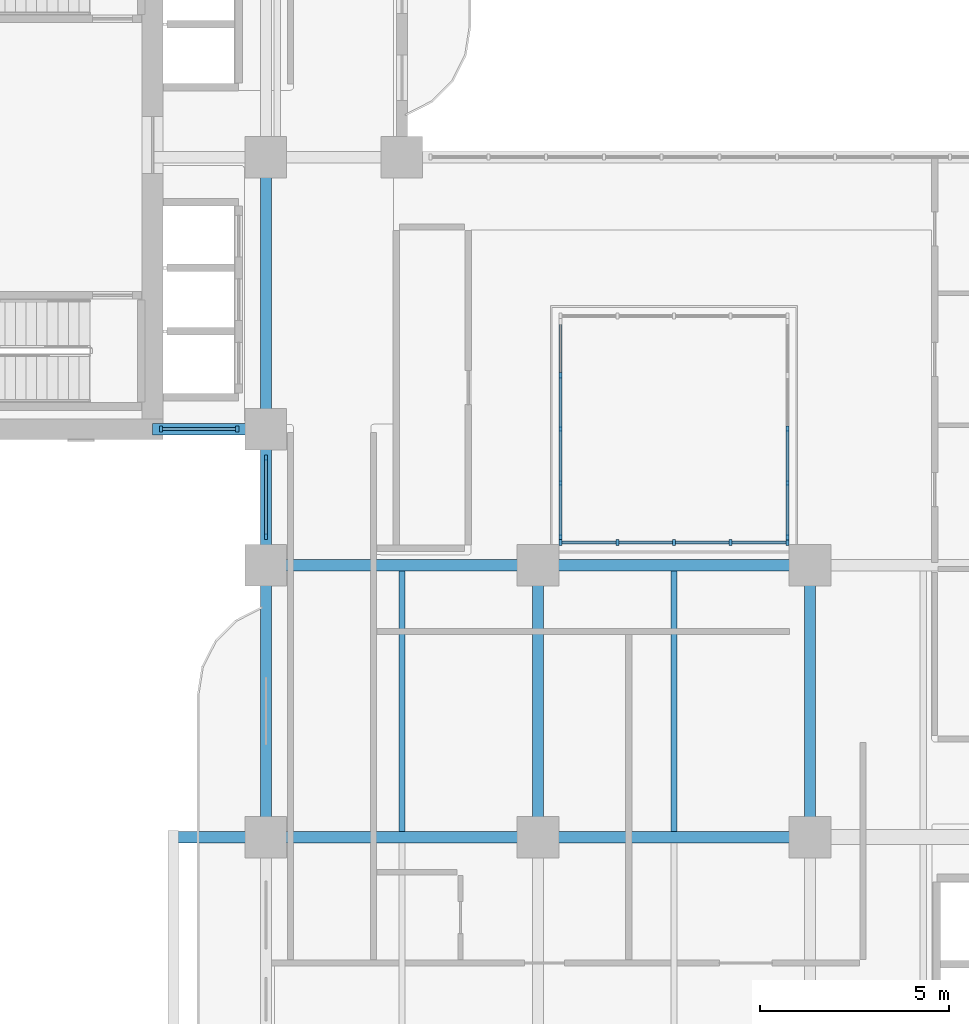
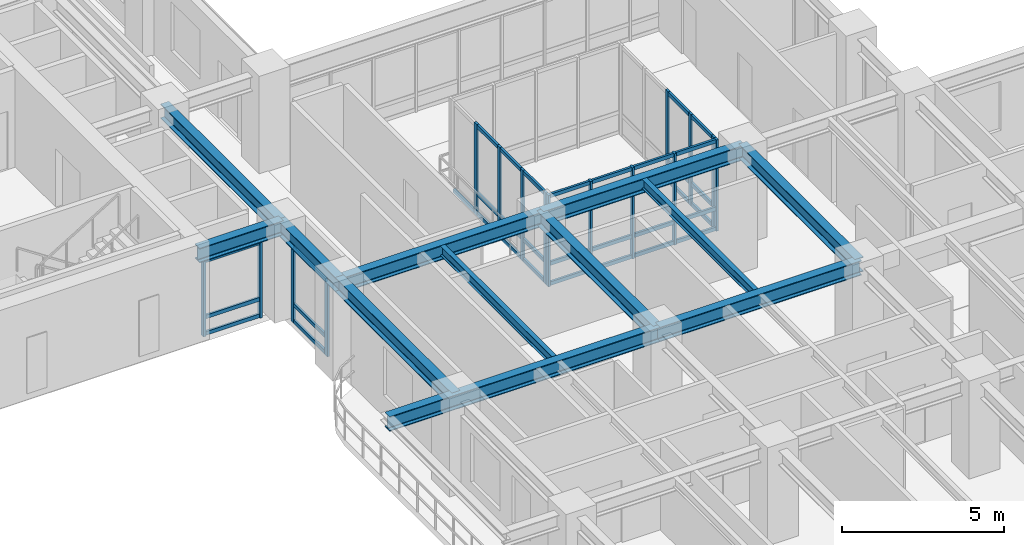
# One storey, part 2 of 22: 50 members, 12 beams, 5 elements without a shape of their own.
"""IFC4 building model written with IfcOpenShell, lengths in metres."""

from ifc_helpers import new_model, si_unit, derived_unit, direction, frame, origin, origin_2d, place, context, subcontext, project, spatial, rectangle, i_section, extrude, source, transform, mapped, material, layer, layer_set, material_profile, profile_set, type_object, type_shapes, element, aggregate, save


model = new_model("IFC4")

# Units and contexts
model_context = context("Model", 3, precision=1e-05, world=origin(), true_north=direction((0.0, 1.0)))
body_context = subcontext(model_context, "Body", "Model", "MODEL_VIEW")
ifc_project = project(units=[si_unit("LENGTHUNIT", "METRE"), si_unit("AREAUNIT", "SQUARE_METRE"), si_unit("VOLUMEUNIT", "CUBIC_METRE"), si_unit("PLANEANGLEUNIT", "RADIAN"), si_unit("MASSUNIT", "GRAM", prefix="KILO"), si_unit("THERMODYNAMICTEMPERATUREUNIT", "KELVIN"), si_unit("POWERUNIT", "WATT"), derived_unit("THERMALTRANSMITTANCEUNIT", [(si_unit("POWERUNIT", "WATT"), 1), (si_unit("AREAUNIT", "SQUARE_METRE"), -1), (si_unit("THERMODYNAMICTEMPERATUREUNIT", "KELVIN"), -1)])], contexts=[model_context])

# Site, building, storey
site_placement = place(None, origin())
site = spatial("IfcSite", under=ifc_project, at=site_placement, CompositionType="ELEMENT")
building_placement = place(site_placement, origin())
building = spatial("IfcBuilding", under=site, at=building_placement, Name="Zahravan Archway Hotel and Residences", CompositionType="ELEMENT")
storey_placement = place(building_placement, frame((0.0, 0.0, 95.300048828125)))
storey = spatial("IfcBuildingStorey", under=building, at=storey_placement, Name="L23", CompositionType="ELEMENT", Elevation=95.300048828125)

# Beams
ifc_material_1 = material(Name="Structural Steel S355JR", Category="steel")
ifc_material_profile_1 = material_profile(ifc_material_1, i_section(OverallWidth=0.300048828125, OverallDepth=0.550048828125, WebThickness=0.014892578125, FlangeThickness=0.029052734375, FilletRadius=0.027099609375, at=origin_2d()), Name="HEB 550", Category="steel")
ifc_profile_set_1 = profile_set([ifc_material_profile_1], Name="Structural Steel S355JR")
beam_type_1 = type_object("IfcBeamType", Name="BM-PRI-HEB550", PredefinedType="BEAM", material=ifc_profile_set_1)
shared_shape_1 = source(origin(), body_context, "Body", "SweptSolid", [
    extrude(i_section(OverallWidth=0.300048828125, OverallDepth=0.550048828125, WebThickness=0.014892578125, FlangeThickness=0.029052734375, FilletRadius=0.027099609375, at=origin_2d()), origin(), (0.0, 0.0, 1.0), 7.2001953125),
])
type_shapes(beam_type_1, [shared_shape_1])
for number, where, z_axis, x_axis, name in (
    (1, (14.39990234375, 21.60009765625, 3.175048828125), (1.0, 0.0, 0.0), (0.0, 1.0, 0.0), "L23 Primary Girder EW-14"),
    (2, (14.39990234375, 14.39990234375, 3.175048828125), (0.0, 1.0, 0.0), (-1.0, 0.0, 0.0), "L23 Primary Girder NS-34"),
    (3, (21.60009765625, 14.39990234375, 3.175048828125), (0.0, 1.0, 0.0), (-1.0, 0.0, 0.0), "L23 Primary Girder NS-41"),
    (4, (28.800048828125, 14.39990234375, 3.175048828125), (0.0, 1.0, 0.0), (-1.0, 0.0, 0.0), "L23 Primary Girder NS-44"),
):
    element("IfcBeam", number, at=place(storey_placement, frame(where, z_axis=z_axis, x_axis=x_axis)), inside=storey, type_object=beam_type_1, Name=name, PredefinedType="BEAM", context=body_context, shape_type="MappedRepresentation", body=[
        mapped(shared_shape_1, transform((0.0, 0.0, 0.0), scale=1.0)),
    ])
shared_shape_2 = source(origin(), body_context, "Body", "SweptSolid", [
    extrude(i_section(OverallWidth=0.300048828125, OverallDepth=0.550048828125, WebThickness=0.014892578125, FlangeThickness=0.029052734375, FilletRadius=0.027099609375, at=origin_2d()), origin(), (0.0, 0.0, 1.0), 7.199951171875),
])
for number, where, z_axis, x_axis, name in (
    (5, (21.60009765625, 14.39990234375, 3.175048828125), (1.0, 0.0, 0.0), (0.0, 1.0, 0.0), "L23 Primary Girder EW-12"),
    (6, (21.60009765625, 21.60009765625, 3.175048828125), (1.0, 0.0, 0.0), (0.0, 1.0, 0.0), "L23 Primary Girder EW-15"),
    (7, (14.39990234375, 25.199951171875, 3.175048828125), (0.0, 1.0, 0.0), (-1.0, 0.0, 0.0), "L23 Primary Girder NS-36"),
):
    element("IfcBeam", number, at=place(storey_placement, frame(where, z_axis=z_axis, x_axis=x_axis)), inside=storey, type_object=beam_type_1, Name=name, PredefinedType="BEAM", context=body_context, shape_type="MappedRepresentation", body=[
        mapped(shared_shape_2, transform((0.0, 0.0, 0.0), scale=1.0)),
    ])
shared_shape_3 = source(origin(), body_context, "Body", "SweptSolid", [
    extrude(i_section(OverallWidth=0.300048828125, OverallDepth=0.550048828125, WebThickness=0.014892578125, FlangeThickness=0.029052734375, FilletRadius=0.027099609375, at=origin_2d()), origin(), (0.0, 0.0, 1.0), 3.0),
])
beam_1_placement = place(storey_placement, frame((11.39990234375, 25.199951171875, 3.175048828125), z_axis=(1.0, 0.0, 0.0), x_axis=(0.0, 1.0, 0.0)))
element("IfcBeam", 8, at=beam_1_placement, inside=storey, type_object=beam_type_1, Name="L23 Primary Girder EW-20", PredefinedType="BEAM", context=body_context, shape_type="MappedRepresentation", body=[
    mapped(shared_shape_3, transform((0.0, 0.0, 0.0), scale=1.0)),
])
shared_shape_4 = source(origin(), body_context, "Body", "SweptSolid", [
    extrude(i_section(OverallWidth=0.300048828125, OverallDepth=0.550048828125, WebThickness=0.014892578125, FlangeThickness=0.029052734375, FilletRadius=0.027099609375, at=origin_2d()), origin(), (0.0, 0.0, 1.0), 3.599853515625),
])
beam_2_placement = place(storey_placement, frame((14.39990234375, 21.60009765625, 3.175048828125), z_axis=(0.0, 1.0, 0.0), x_axis=(-1.0, 0.0, 0.0)))
element("IfcBeam", 9, at=beam_2_placement, inside=storey, type_object=beam_type_1, Name="L23 Primary Girder NS-35", PredefinedType="BEAM", context=body_context, shape_type="MappedRepresentation", body=[
    mapped(shared_shape_4, transform((0.0, 0.0, 0.0), scale=1.0)),
])
shared_shape_5 = source(origin(), body_context, "Body", "SweptSolid", [
    extrude(i_section(OverallWidth=0.300048828125, OverallDepth=0.550048828125, WebThickness=0.014892578125, FlangeThickness=0.029052734375, FilletRadius=0.027099609375, at=origin_2d()), origin(), (0.0, 0.0, 1.0), 9.650146484375),
])
beam_3_placement = place(storey_placement, frame((11.949951171875, 14.39990234375, 3.175048828125), z_axis=(1.0, 0.0, 0.0), x_axis=(0.0, 1.0, 0.0)))
element("IfcBeam", 10, at=beam_3_placement, inside=storey, type_object=beam_type_1, Name="L23 Primary Girder EW-11", PredefinedType="BEAM", context=body_context, shape_type="MappedRepresentation", body=[
    mapped(shared_shape_5, transform((0.0, 0.0, 0.0), scale=1.0)),
])
ifc_material_profile_2 = material_profile(ifc_material_1, i_section(OverallWidth=0.169921875, OverallDepth=0.360107421875, WebThickness=0.008056640625, FlangeThickness=0.0126953125, FilletRadius=0.01806640625, at=origin_2d()), Name="IPE 360", Category="steel")
ifc_profile_set_2 = profile_set([ifc_material_profile_2], Name="Structural Steel S355JR")
beam_type_2 = type_object("IfcBeamType", Name="BM-JST-IPE360", PredefinedType="JOIST", material=ifc_profile_set_2)
shared_shape_6 = source(origin(), body_context, "Body", "SweptSolid", [
    extrude(i_section(OverallWidth=0.169921875, OverallDepth=0.360107421875, WebThickness=0.008056640625, FlangeThickness=0.0126953125, FilletRadius=0.01806640625, at=origin_2d()), origin(), (0.0, 0.0, 1.0), 6.90380859375),
])
for number, where, z_axis, x_axis, name in (
    (11, (18.0, 14.548095703125, 3.27001953125), (0.0, 1.0, 0.0), (-1.0, 0.0, 0.0), "L23 Composite Floor Joist 10"),
    (12, (25.199951171875, 14.548095703125, 3.27001953125), (0.0, 1.0, 0.0), (-1.0, 0.0, 0.0), "L23 Composite Floor Joist 11"),
):
    element("IfcBeam", number, at=place(storey_placement, frame(where, z_axis=z_axis, x_axis=x_axis)), inside=storey, type_object=beam_type_2, Name=name, PredefinedType="JOIST", context=body_context, shape_type="MappedRepresentation", body=[
        mapped(shared_shape_6, transform((0.0, 0.0, 0.0), scale=1.0)),
    ])

# Curtain wall, members
ifc_material_2 = material(Name="Bronze-Anodized Unitised Aluminium & Low-E Glass", Category="aluminium")
ifc_layer = layer(ifc_material_2, 0.179931640625, Name="Bronze-Anodized Unitised Aluminium & Low-E Glass", Category="aluminium")
ifc_layer_set = layer_set([ifc_layer], Name="Bronze-Anodized Unitised Aluminium & Low-E Glass")
curtain_wall_type = type_object("IfcCurtainWallType", Name="CW-ATR-GLAZ", PredefinedType="NOTDEFINED", material=ifc_layer_set)
curtain_wall_1_placement = place(storey_placement, origin())
curtain_wall_1 = element("IfcCurtainWall", 13, at=curtain_wall_1_placement, inside=storey, type_object=curtain_wall_type, Name="L23 Curtain Wall CW-L23-WA-WLU-1", PredefinedType="NOTDEFINED")
ifc_material_3 = material(Name="Bronze-Anodized Extruded Aluminium", Category="aluminium")
ifc_material_profile_3 = material_profile(ifc_material_3, rectangle(XDim=0.080078125, YDim=0.159912109375, at=origin_2d()), Name="MUL 80x160", Category="aluminium")
ifc_profile_set_3 = profile_set([ifc_material_profile_3], Name="Bronze-Anodized Extruded Aluminium")
member_type_1 = type_object("IfcMemberType", Name="CWM-MUL-160", PredefinedType="MULLION", material=ifc_profile_set_3)
shared_shape_7 = source(origin(), body_context, "Body", "SweptSolid", [
    extrude(rectangle(XDim=0.080078125, YDim=0.159912109375, at=origin_2d()), origin(), (0.0, 0.0, 1.0), 2.885009765625),
])
member_1_placement = place(storey_placement, frame((14.39990234375, 22.360107421875, 0.0), z_axis=(0.0, 0.0, 1.0), x_axis=(1.0, 0.0, 0.0)))
member_1 = element("IfcMember", 14, at=member_1_placement, type_object=member_type_1, Name="CW-L23-WA-WLU-1 Mullion 0", PredefinedType="MULLION", context=body_context, shape_type="MappedRepresentation", body=[
    mapped(shared_shape_7, transform((0.0, 0.0, 0.0), scale=1.0)),
])
member_2_placement = place(storey_placement, frame((14.39990234375, 24.43994140625, 0.0), z_axis=(0.0, 0.0, 1.0), x_axis=(1.0, 0.0, 0.0)))
member_2 = element("IfcMember", 15, at=member_2_placement, type_object=member_type_1, Name="CW-L23-WA-WLU-1 Mullion 1", PredefinedType="MULLION", context=body_context, shape_type="MappedRepresentation", body=[
    mapped(shared_shape_7, transform((0.0, 0.0, 0.0), scale=1.0)),
])

curtain_wall_2_placement = place(storey_placement, origin())
curtain_wall_2 = element("IfcCurtainWall", 16, at=curtain_wall_2_placement, inside=storey, type_object=curtain_wall_type, Name="L23 Curtain Wall CW-L23-WB-SE-1", PredefinedType="NOTDEFINED")
member_3_placement = place(storey_placement, frame((11.6201171875, 25.199951171875, 0.0), z_axis=(0.0, 0.0, 1.0), x_axis=(1.0, 0.0, 0.0)))
member_3 = element("IfcMember", 17, at=member_3_placement, type_object=member_type_1, Name="CW-L23-WB-SE-1 Mullion 0", PredefinedType="MULLION", context=body_context, shape_type="MappedRepresentation", body=[
    mapped(shared_shape_7, transform((0.0, 0.0, 0.0), scale=1.0)),
])
member_4_placement = place(storey_placement, frame((13.639892578125, 25.199951171875, 0.0), z_axis=(0.0, 0.0, 1.0), x_axis=(1.0, 0.0, 0.0)))
member_4 = element("IfcMember", 18, at=member_4_placement, type_object=member_type_1, Name="CW-L23-WB-SE-1 Mullion 1", PredefinedType="MULLION", context=body_context, shape_type="MappedRepresentation", body=[
    mapped(shared_shape_7, transform((0.0, 0.0, 0.0), scale=1.0)),
])
ifc_material_profile_4 = material_profile(ifc_material_3, rectangle(XDim=0.080078125, YDim=0.139892578125, at=origin_2d()), Name="TRN 80x140", Category="aluminium")
ifc_profile_set_4 = profile_set([ifc_material_profile_4], Name="Bronze-Anodized Extruded Aluminium")
member_type_2 = type_object("IfcMemberType", Name="CWM-TRN-140", PredefinedType="USERDEFINED", material=ifc_profile_set_4)
shared_shape_8 = source(origin(), body_context, "Body", "SweptSolid", [
    extrude(rectangle(XDim=0.080078125, YDim=0.139892578125, at=origin_2d()), origin(), (0.0, 0.0, 1.0), 1.940185546875),
])
member_5_placement = place(storey_placement, frame((11.659912109375, 25.199951171875, 0.070068359375), z_axis=(1.0, 0.0, 0.0), x_axis=(0.0, 1.0, 0.0)))
member_5 = element("IfcMember", 19, at=member_5_placement, type_object=member_type_2, Name="CW-L23-WB-SE-1 Transom 0-1", ObjectType="TRANSOM", PredefinedType="USERDEFINED", context=body_context, shape_type="MappedRepresentation", body=[
    mapped(shared_shape_8, transform((0.0, 0.0, 0.0), scale=1.0)),
])
member_6_placement = place(storey_placement, frame((11.659912109375, 25.199951171875, 0.6923828125), z_axis=(1.0, 0.0, 0.0), x_axis=(0.0, 1.0, 0.0)))
member_6 = element("IfcMember", 20, at=member_6_placement, type_object=member_type_2, Name="CW-L23-WB-SE-1 Transom 0-2", ObjectType="TRANSOM", PredefinedType="USERDEFINED", context=body_context, shape_type="MappedRepresentation", body=[
    mapped(shared_shape_8, transform((0.0, 0.0, 0.0), scale=1.0)),
])
member_7_placement = place(storey_placement, frame((11.659912109375, 25.199951171875, 2.81494140625), z_axis=(1.0, 0.0, 0.0), x_axis=(0.0, 1.0, 0.0)))
member_7 = element("IfcMember", 21, at=member_7_placement, type_object=member_type_2, Name="CW-L23-WB-SE-1 Transom 0-3", ObjectType="TRANSOM", PredefinedType="USERDEFINED", context=body_context, shape_type="MappedRepresentation", body=[
    mapped(shared_shape_8, transform((0.0, 0.0, 0.0), scale=1.0)),
])
aggregate(curtain_wall_2, [member_3, member_4, member_5, member_6, member_7])

# Member
shared_shape_9 = source(origin(), body_context, "Body", "SweptSolid", [
    extrude(rectangle(XDim=0.080078125, YDim=0.139892578125, at=origin_2d()), origin(), (0.0, 0.0, 1.0), 2.0),
])
member_8_placement = place(storey_placement, frame((14.39990234375, 22.39990234375, 0.070068359375), z_axis=(0.0, 1.0, 0.0), x_axis=(-1.0, 0.0, 0.0)))
member_8 = element("IfcMember", 22, at=member_8_placement, type_object=member_type_2, Name="CW-L23-WA-WLU-1 Transom 0-1", ObjectType="TRANSOM", PredefinedType="USERDEFINED", context=body_context, shape_type="MappedRepresentation", body=[
    mapped(shared_shape_9, transform((0.0, 0.0, 0.0), scale=1.0)),
])

member_9_placement = place(storey_placement, frame((14.39990234375, 22.39990234375, 0.6923828125), z_axis=(0.0, 1.0, 0.0), x_axis=(-1.0, 0.0, 0.0)))
member_9 = element("IfcMember", 23, at=member_9_placement, type_object=member_type_2, Name="CW-L23-WA-WLU-1 Transom 0-2", ObjectType="TRANSOM", PredefinedType="USERDEFINED", context=body_context, shape_type="MappedRepresentation", body=[
    mapped(shared_shape_9, transform((0.0, 0.0, 0.0), scale=1.0)),
])

member_10_placement = place(storey_placement, frame((14.39990234375, 22.39990234375, 2.81494140625), z_axis=(0.0, 1.0, 0.0), x_axis=(-1.0, 0.0, 0.0)))
member_10 = element("IfcMember", 24, at=member_10_placement, type_object=member_type_2, Name="CW-L23-WA-WLU-1 Transom 0-3", ObjectType="TRANSOM", PredefinedType="USERDEFINED", context=body_context, shape_type="MappedRepresentation", body=[
    mapped(shared_shape_9, transform((0.0, 0.0, 0.0), scale=1.0)),
])

aggregate(curtain_wall_1, [member_1, member_2, member_8, member_9, member_10])

# Curtain wall, members
curtain_wall_3_placement = place(storey_placement, origin())
curtain_wall_3 = element("IfcCurtainWall", 25, at=curtain_wall_3_placement, inside=storey, type_object=curtain_wall_type, Name="L23 Curtain Wall CW-ATR-L23-S-1", PredefinedType="NOTDEFINED")
shared_shape_10 = source(origin(), body_context, "Body", "SweptSolid", [
    extrude(rectangle(XDim=0.080078125, YDim=0.159912109375, at=origin_2d()), origin(), (0.0, 0.0, 1.0), 3.449951171875),
])
member_11_placement = place(storey_placement, frame((22.199951171875, 22.199951171875, 0.0), z_axis=(0.0, 0.0, 1.0), x_axis=(1.0, 0.0, 0.0)))
member_11 = element("IfcMember", 26, at=member_11_placement, type_object=member_type_1, Name="CW-ATR-L23-S-1 Mullion 0", PredefinedType="MULLION", context=body_context, shape_type="MappedRepresentation", body=[
    mapped(shared_shape_10, transform((0.0, 0.0, 0.0), scale=1.0)),
])
member_12_placement = place(storey_placement, frame((23.699951171875, 22.199951171875, 0.0), z_axis=(0.0, 0.0, 1.0), x_axis=(1.0, 0.0, 0.0)))
member_12 = element("IfcMember", 27, at=member_12_placement, type_object=member_type_1, Name="CW-ATR-L23-S-1 Mullion 1", PredefinedType="MULLION", context=body_context, shape_type="MappedRepresentation", body=[
    mapped(shared_shape_10, transform((0.0, 0.0, 0.0), scale=1.0)),
])
member_13_placement = place(storey_placement, frame((25.199951171875, 22.199951171875, 0.0), z_axis=(0.0, 0.0, 1.0), x_axis=(1.0, 0.0, 0.0)))
member_13 = element("IfcMember", 28, at=member_13_placement, type_object=member_type_1, Name="CW-ATR-L23-S-1 Mullion 2", PredefinedType="MULLION", context=body_context, shape_type="MappedRepresentation", body=[
    mapped(shared_shape_10, transform((0.0, 0.0, 0.0), scale=1.0)),
])
member_14_placement = place(storey_placement, frame((26.699951171875, 22.199951171875, 0.0), z_axis=(0.0, 0.0, 1.0), x_axis=(1.0, 0.0, 0.0)))
member_14 = element("IfcMember", 29, at=member_14_placement, type_object=member_type_1, Name="CW-ATR-L23-S-1 Mullion 3", PredefinedType="MULLION", context=body_context, shape_type="MappedRepresentation", body=[
    mapped(shared_shape_10, transform((0.0, 0.0, 0.0), scale=1.0)),
])
member_15_placement = place(storey_placement, frame((28.199951171875, 22.199951171875, 0.0), z_axis=(0.0, 0.0, 1.0), x_axis=(1.0, 0.0, 0.0)))
member_15 = element("IfcMember", 30, at=member_15_placement, type_object=member_type_1, Name="CW-ATR-L23-S-1 Mullion 4", PredefinedType="MULLION", context=body_context, shape_type="MappedRepresentation", body=[
    mapped(shared_shape_10, transform((0.0, 0.0, 0.0), scale=1.0)),
])

curtain_wall_4_placement = place(storey_placement, origin())
curtain_wall_4 = element("IfcCurtainWall", 31, at=curtain_wall_4_placement, inside=storey, type_object=curtain_wall_type, Name="L23 Curtain Wall CW-ATR-L23-W-1", PredefinedType="NOTDEFINED")
member_16_placement = place(storey_placement, frame((22.199951171875, 22.35009765625, 0.0), z_axis=(0.0, 0.0, 1.0), x_axis=(1.0, 0.0, 0.0)))
member_16 = element("IfcMember", 32, at=member_16_placement, type_object=member_type_1, Name="CW-ATR-L23-W-1 Mullion 0", PredefinedType="MULLION", context=body_context, shape_type="MappedRepresentation", body=[
    mapped(shared_shape_10, transform((0.0, 0.0, 0.0), scale=1.0)),
])
member_17_placement = place(storey_placement, frame((22.199951171875, 23.77490234375, 0.0), z_axis=(0.0, 0.0, 1.0), x_axis=(1.0, 0.0, 0.0)))
member_17 = element("IfcMember", 33, at=member_17_placement, type_object=member_type_1, Name="CW-ATR-L23-W-1 Mullion 1", PredefinedType="MULLION", context=body_context, shape_type="MappedRepresentation", body=[
    mapped(shared_shape_10, transform((0.0, 0.0, 0.0), scale=1.0)),
])
member_18_placement = place(storey_placement, frame((22.199951171875, 25.199951171875, 0.0), z_axis=(0.0, 0.0, 1.0), x_axis=(1.0, 0.0, 0.0)))
member_18 = element("IfcMember", 34, at=member_18_placement, type_object=member_type_1, Name="CW-ATR-L23-W-1 Mullion 2", PredefinedType="MULLION", context=body_context, shape_type="MappedRepresentation", body=[
    mapped(shared_shape_10, transform((0.0, 0.0, 0.0), scale=1.0)),
])
member_19_placement = place(storey_placement, frame((22.199951171875, 26.625, 0.0), z_axis=(0.0, 0.0, 1.0), x_axis=(1.0, 0.0, 0.0)))
member_19 = element("IfcMember", 35, at=member_19_placement, type_object=member_type_1, Name="CW-ATR-L23-W-1 Mullion 3", PredefinedType="MULLION", context=body_context, shape_type="MappedRepresentation", body=[
    mapped(shared_shape_10, transform((0.0, 0.0, 0.0), scale=1.0)),
])

curtain_wall_5_placement = place(storey_placement, origin())
curtain_wall_5 = element("IfcCurtainWall", 36, at=curtain_wall_5_placement, inside=storey, type_object=curtain_wall_type, Name="L23 Curtain Wall CW-ATR-L23-E-1", PredefinedType="NOTDEFINED")
member_20_placement = place(storey_placement, frame((28.199951171875, 22.35009765625, 0.0), z_axis=(0.0, 0.0, 1.0), x_axis=(1.0, 0.0, 0.0)))
member_20 = element("IfcMember", 37, at=member_20_placement, type_object=member_type_1, Name="CW-ATR-L23-E-1 Mullion 0", PredefinedType="MULLION", context=body_context, shape_type="MappedRepresentation", body=[
    mapped(shared_shape_10, transform((0.0, 0.0, 0.0), scale=1.0)),
])
member_21_placement = place(storey_placement, frame((28.199951171875, 23.77490234375, 0.0), z_axis=(0.0, 0.0, 1.0), x_axis=(1.0, 0.0, 0.0)))
member_21 = element("IfcMember", 38, at=member_21_placement, type_object=member_type_1, Name="CW-ATR-L23-E-1 Mullion 1", PredefinedType="MULLION", context=body_context, shape_type="MappedRepresentation", body=[
    mapped(shared_shape_10, transform((0.0, 0.0, 0.0), scale=1.0)),
])
member_22_placement = place(storey_placement, frame((28.199951171875, 25.199951171875, 0.0), z_axis=(0.0, 0.0, 1.0), x_axis=(1.0, 0.0, 0.0)))
member_22 = element("IfcMember", 39, at=member_22_placement, type_object=member_type_1, Name="CW-ATR-L23-E-1 Mullion 2", PredefinedType="MULLION", context=body_context, shape_type="MappedRepresentation", body=[
    mapped(shared_shape_10, transform((0.0, 0.0, 0.0), scale=1.0)),
])

# Member
shared_shape_11 = source(origin(), body_context, "Body", "SweptSolid", [
    extrude(rectangle(XDim=0.080078125, YDim=0.139892578125, at=origin_2d()), origin(), (0.0, 0.0, 1.0), 1.419921875),
])
member_23_placement = place(storey_placement, frame((22.239990234375, 22.199951171875, 0.070068359375), z_axis=(1.0, 0.0, 0.0), x_axis=(0.0, 1.0, 0.0)))
member_23 = element("IfcMember", 40, at=member_23_placement, type_object=member_type_2, Name="CW-ATR-L23-S-1 Transom 0-1", ObjectType="TRANSOM", PredefinedType="USERDEFINED", context=body_context, shape_type="MappedRepresentation", body=[
    mapped(shared_shape_11, transform((0.0, 0.0, 0.0), scale=1.0)),
])

member_24_placement = place(storey_placement, frame((22.239990234375, 22.199951171875, 0.827880859375), z_axis=(1.0, 0.0, 0.0), x_axis=(0.0, 1.0, 0.0)))
member_24 = element("IfcMember", 41, at=member_24_placement, type_object=member_type_2, Name="CW-ATR-L23-S-1 Transom 0-2", ObjectType="TRANSOM", PredefinedType="USERDEFINED", context=body_context, shape_type="MappedRepresentation", body=[
    mapped(shared_shape_11, transform((0.0, 0.0, 0.0), scale=1.0)),
])

member_25_placement = place(storey_placement, frame((22.239990234375, 22.199951171875, 3.3798828125), z_axis=(1.0, 0.0, 0.0), x_axis=(0.0, 1.0, 0.0)))
member_25 = element("IfcMember", 42, at=member_25_placement, type_object=member_type_2, Name="CW-ATR-L23-S-1 Transom 0-3", ObjectType="TRANSOM", PredefinedType="USERDEFINED", context=body_context, shape_type="MappedRepresentation", body=[
    mapped(shared_shape_11, transform((0.0, 0.0, 0.0), scale=1.0)),
])

member_26_placement = place(storey_placement, frame((23.739990234375, 22.199951171875, 0.070068359375), z_axis=(1.0, 0.0, 0.0), x_axis=(0.0, 1.0, 0.0)))
member_26 = element("IfcMember", 43, at=member_26_placement, type_object=member_type_2, Name="CW-ATR-L23-S-1 Transom 1-1", ObjectType="TRANSOM", PredefinedType="USERDEFINED", context=body_context, shape_type="MappedRepresentation", body=[
    mapped(shared_shape_11, transform((0.0, 0.0, 0.0), scale=1.0)),
])

member_27_placement = place(storey_placement, frame((23.739990234375, 22.199951171875, 0.827880859375), z_axis=(1.0, 0.0, 0.0), x_axis=(0.0, 1.0, 0.0)))
member_27 = element("IfcMember", 44, at=member_27_placement, type_object=member_type_2, Name="CW-ATR-L23-S-1 Transom 1-2", ObjectType="TRANSOM", PredefinedType="USERDEFINED", context=body_context, shape_type="MappedRepresentation", body=[
    mapped(shared_shape_11, transform((0.0, 0.0, 0.0), scale=1.0)),
])

member_28_placement = place(storey_placement, frame((23.739990234375, 22.199951171875, 3.3798828125), z_axis=(1.0, 0.0, 0.0), x_axis=(0.0, 1.0, 0.0)))
member_28 = element("IfcMember", 45, at=member_28_placement, type_object=member_type_2, Name="CW-ATR-L23-S-1 Transom 1-3", ObjectType="TRANSOM", PredefinedType="USERDEFINED", context=body_context, shape_type="MappedRepresentation", body=[
    mapped(shared_shape_11, transform((0.0, 0.0, 0.0), scale=1.0)),
])

member_29_placement = place(storey_placement, frame((25.239990234375, 22.199951171875, 0.070068359375), z_axis=(1.0, 0.0, 0.0), x_axis=(0.0, 1.0, 0.0)))
member_29 = element("IfcMember", 46, at=member_29_placement, type_object=member_type_2, Name="CW-ATR-L23-S-1 Transom 2-1", ObjectType="TRANSOM", PredefinedType="USERDEFINED", context=body_context, shape_type="MappedRepresentation", body=[
    mapped(shared_shape_11, transform((0.0, 0.0, 0.0), scale=1.0)),
])

member_30_placement = place(storey_placement, frame((25.239990234375, 22.199951171875, 0.827880859375), z_axis=(1.0, 0.0, 0.0), x_axis=(0.0, 1.0, 0.0)))
member_30 = element("IfcMember", 47, at=member_30_placement, type_object=member_type_2, Name="CW-ATR-L23-S-1 Transom 2-2", ObjectType="TRANSOM", PredefinedType="USERDEFINED", context=body_context, shape_type="MappedRepresentation", body=[
    mapped(shared_shape_11, transform((0.0, 0.0, 0.0), scale=1.0)),
])

member_31_placement = place(storey_placement, frame((25.239990234375, 22.199951171875, 3.3798828125), z_axis=(1.0, 0.0, 0.0), x_axis=(0.0, 1.0, 0.0)))
member_31 = element("IfcMember", 48, at=member_31_placement, type_object=member_type_2, Name="CW-ATR-L23-S-1 Transom 2-3", ObjectType="TRANSOM", PredefinedType="USERDEFINED", context=body_context, shape_type="MappedRepresentation", body=[
    mapped(shared_shape_11, transform((0.0, 0.0, 0.0), scale=1.0)),
])

member_32_placement = place(storey_placement, frame((26.739990234375, 22.199951171875, 0.070068359375), z_axis=(1.0, 0.0, 0.0), x_axis=(0.0, 1.0, 0.0)))
member_32 = element("IfcMember", 49, at=member_32_placement, type_object=member_type_2, Name="CW-ATR-L23-S-1 Transom 3-1", ObjectType="TRANSOM", PredefinedType="USERDEFINED", context=body_context, shape_type="MappedRepresentation", body=[
    mapped(shared_shape_11, transform((0.0, 0.0, 0.0), scale=1.0)),
])

member_33_placement = place(storey_placement, frame((26.739990234375, 22.199951171875, 0.827880859375), z_axis=(1.0, 0.0, 0.0), x_axis=(0.0, 1.0, 0.0)))
member_33 = element("IfcMember", 50, at=member_33_placement, type_object=member_type_2, Name="CW-ATR-L23-S-1 Transom 3-2", ObjectType="TRANSOM", PredefinedType="USERDEFINED", context=body_context, shape_type="MappedRepresentation", body=[
    mapped(shared_shape_11, transform((0.0, 0.0, 0.0), scale=1.0)),
])

member_34_placement = place(storey_placement, frame((26.739990234375, 22.199951171875, 3.3798828125), z_axis=(1.0, 0.0, 0.0), x_axis=(0.0, 1.0, 0.0)))
member_34 = element("IfcMember", 51, at=member_34_placement, type_object=member_type_2, Name="CW-ATR-L23-S-1 Transom 3-3", ObjectType="TRANSOM", PredefinedType="USERDEFINED", context=body_context, shape_type="MappedRepresentation", body=[
    mapped(shared_shape_11, transform((0.0, 0.0, 0.0), scale=1.0)),
])

aggregate(curtain_wall_3, [member_11, member_12, member_13, member_14, member_15, member_23, member_24, member_25, member_26, member_27, member_28, member_29, member_30, member_31, member_32, member_33, member_34])

shared_shape_12 = source(origin(), body_context, "Body", "SweptSolid", [
    extrude(rectangle(XDim=0.080078125, YDim=0.139892578125, at=origin_2d()), origin(), (0.0, 0.0, 1.0), 1.34521484375),
])
member_35_placement = place(storey_placement, frame((22.199951171875, 22.389892578125, 0.070068359375), z_axis=(0.0, 1.0, 0.0), x_axis=(-1.0, 0.0, 0.0)))
member_35 = element("IfcMember", 52, at=member_35_placement, type_object=member_type_2, Name="CW-ATR-L23-W-1 Transom 0-1", ObjectType="TRANSOM", PredefinedType="USERDEFINED", context=body_context, shape_type="MappedRepresentation", body=[
    mapped(shared_shape_12, transform((0.0, 0.0, 0.0), scale=1.0)),
])

member_36_placement = place(storey_placement, frame((22.199951171875, 22.389892578125, 0.827880859375), z_axis=(0.0, 1.0, 0.0), x_axis=(-1.0, 0.0, 0.0)))
member_36 = element("IfcMember", 53, at=member_36_placement, type_object=member_type_2, Name="CW-ATR-L23-W-1 Transom 0-2", ObjectType="TRANSOM", PredefinedType="USERDEFINED", context=body_context, shape_type="MappedRepresentation", body=[
    mapped(shared_shape_12, transform((0.0, 0.0, 0.0), scale=1.0)),
])

member_37_placement = place(storey_placement, frame((22.199951171875, 22.389892578125, 3.3798828125), z_axis=(0.0, 1.0, 0.0), x_axis=(-1.0, 0.0, 0.0)))
member_37 = element("IfcMember", 54, at=member_37_placement, type_object=member_type_2, Name="CW-ATR-L23-W-1 Transom 0-3", ObjectType="TRANSOM", PredefinedType="USERDEFINED", context=body_context, shape_type="MappedRepresentation", body=[
    mapped(shared_shape_12, transform((0.0, 0.0, 0.0), scale=1.0)),
])

member_38_placement = place(storey_placement, frame((28.199951171875, 22.389892578125, 0.070068359375), z_axis=(0.0, 1.0, 0.0), x_axis=(-1.0, 0.0, 0.0)))
member_38 = element("IfcMember", 55, at=member_38_placement, type_object=member_type_2, Name="CW-ATR-L23-E-1 Transom 0-1", ObjectType="TRANSOM", PredefinedType="USERDEFINED", context=body_context, shape_type="MappedRepresentation", body=[
    mapped(shared_shape_12, transform((0.0, 0.0, 0.0), scale=1.0)),
])

member_39_placement = place(storey_placement, frame((28.199951171875, 22.389892578125, 0.827880859375), z_axis=(0.0, 1.0, 0.0), x_axis=(-1.0, 0.0, 0.0)))
member_39 = element("IfcMember", 56, at=member_39_placement, type_object=member_type_2, Name="CW-ATR-L23-E-1 Transom 0-2", ObjectType="TRANSOM", PredefinedType="USERDEFINED", context=body_context, shape_type="MappedRepresentation", body=[
    mapped(shared_shape_12, transform((0.0, 0.0, 0.0), scale=1.0)),
])

member_40_placement = place(storey_placement, frame((28.199951171875, 22.389892578125, 3.3798828125), z_axis=(0.0, 1.0, 0.0), x_axis=(-1.0, 0.0, 0.0)))
member_40 = element("IfcMember", 57, at=member_40_placement, type_object=member_type_2, Name="CW-ATR-L23-E-1 Transom 0-3", ObjectType="TRANSOM", PredefinedType="USERDEFINED", context=body_context, shape_type="MappedRepresentation", body=[
    mapped(shared_shape_12, transform((0.0, 0.0, 0.0), scale=1.0)),
])

shared_shape_13 = source(origin(), body_context, "Body", "SweptSolid", [
    extrude(rectangle(XDim=0.080078125, YDim=0.139892578125, at=origin_2d()), origin(), (0.0, 0.0, 1.0), 1.344970703125),
])
member_41_placement = place(storey_placement, frame((22.199951171875, 23.81494140625, 0.070068359375), z_axis=(0.0, 1.0, 0.0), x_axis=(-1.0, 0.0, 0.0)))
member_41 = element("IfcMember", 58, at=member_41_placement, type_object=member_type_2, Name="CW-ATR-L23-W-1 Transom 1-1", ObjectType="TRANSOM", PredefinedType="USERDEFINED", context=body_context, shape_type="MappedRepresentation", body=[
    mapped(shared_shape_13, transform((0.0, 0.0, 0.0), scale=1.0)),
])

member_42_placement = place(storey_placement, frame((22.199951171875, 23.81494140625, 0.827880859375), z_axis=(0.0, 1.0, 0.0), x_axis=(-1.0, 0.0, 0.0)))
member_42 = element("IfcMember", 59, at=member_42_placement, type_object=member_type_2, Name="CW-ATR-L23-W-1 Transom 1-2", ObjectType="TRANSOM", PredefinedType="USERDEFINED", context=body_context, shape_type="MappedRepresentation", body=[
    mapped(shared_shape_13, transform((0.0, 0.0, 0.0), scale=1.0)),
])

member_43_placement = place(storey_placement, frame((22.199951171875, 23.81494140625, 3.3798828125), z_axis=(0.0, 1.0, 0.0), x_axis=(-1.0, 0.0, 0.0)))
member_43 = element("IfcMember", 60, at=member_43_placement, type_object=member_type_2, Name="CW-ATR-L23-W-1 Transom 1-3", ObjectType="TRANSOM", PredefinedType="USERDEFINED", context=body_context, shape_type="MappedRepresentation", body=[
    mapped(shared_shape_13, transform((0.0, 0.0, 0.0), scale=1.0)),
])

member_44_placement = place(storey_placement, frame((22.199951171875, 25.239990234375, 0.070068359375), z_axis=(0.0, 1.0, 0.0), x_axis=(-1.0, 0.0, 0.0)))
member_44 = element("IfcMember", 61, at=member_44_placement, type_object=member_type_2, Name="CW-ATR-L23-W-1 Transom 2-1", ObjectType="TRANSOM", PredefinedType="USERDEFINED", context=body_context, shape_type="MappedRepresentation", body=[
    mapped(shared_shape_13, transform((0.0, 0.0, 0.0), scale=1.0)),
])

member_45_placement = place(storey_placement, frame((22.199951171875, 25.239990234375, 0.827880859375), z_axis=(0.0, 1.0, 0.0), x_axis=(-1.0, 0.0, 0.0)))
member_45 = element("IfcMember", 62, at=member_45_placement, type_object=member_type_2, Name="CW-ATR-L23-W-1 Transom 2-2", ObjectType="TRANSOM", PredefinedType="USERDEFINED", context=body_context, shape_type="MappedRepresentation", body=[
    mapped(shared_shape_13, transform((0.0, 0.0, 0.0), scale=1.0)),
])

member_46_placement = place(storey_placement, frame((22.199951171875, 25.239990234375, 3.3798828125), z_axis=(0.0, 1.0, 0.0), x_axis=(-1.0, 0.0, 0.0)))
member_46 = element("IfcMember", 63, at=member_46_placement, type_object=member_type_2, Name="CW-ATR-L23-W-1 Transom 2-3", ObjectType="TRANSOM", PredefinedType="USERDEFINED", context=body_context, shape_type="MappedRepresentation", body=[
    mapped(shared_shape_13, transform((0.0, 0.0, 0.0), scale=1.0)),
])

member_47_placement = place(storey_placement, frame((22.199951171875, 26.6650390625, 0.070068359375), z_axis=(0.0, 1.0, 0.0), x_axis=(-1.0, 0.0, 0.0)))
member_47 = element("IfcMember", 64, at=member_47_placement, type_object=member_type_2, Name="CW-ATR-L23-W-1 Transom 3-1", ObjectType="TRANSOM", PredefinedType="USERDEFINED", context=body_context, shape_type="MappedRepresentation", body=[
    mapped(shared_shape_13, transform((0.0, 0.0, 0.0), scale=1.0)),
])

aggregate(curtain_wall_4, [member_16, member_17, member_18, member_19, member_35, member_36, member_37, member_41, member_42, member_43, member_44, member_45, member_46, member_47])

member_48_placement = place(storey_placement, frame((28.199951171875, 23.81494140625, 0.070068359375), z_axis=(0.0, 1.0, 0.0), x_axis=(-1.0, 0.0, 0.0)))
member_48 = element("IfcMember", 65, at=member_48_placement, type_object=member_type_2, Name="CW-ATR-L23-E-1 Transom 1-1", ObjectType="TRANSOM", PredefinedType="USERDEFINED", context=body_context, shape_type="MappedRepresentation", body=[
    mapped(shared_shape_13, transform((0.0, 0.0, 0.0), scale=1.0)),
])

member_49_placement = place(storey_placement, frame((28.199951171875, 23.81494140625, 0.827880859375), z_axis=(0.0, 1.0, 0.0), x_axis=(-1.0, 0.0, 0.0)))
member_49 = element("IfcMember", 66, at=member_49_placement, type_object=member_type_2, Name="CW-ATR-L23-E-1 Transom 1-2", ObjectType="TRANSOM", PredefinedType="USERDEFINED", context=body_context, shape_type="MappedRepresentation", body=[
    mapped(shared_shape_13, transform((0.0, 0.0, 0.0), scale=1.0)),
])

member_50_placement = place(storey_placement, frame((28.199951171875, 23.81494140625, 3.3798828125), z_axis=(0.0, 1.0, 0.0), x_axis=(-1.0, 0.0, 0.0)))
member_50 = element("IfcMember", 67, at=member_50_placement, type_object=member_type_2, Name="CW-ATR-L23-E-1 Transom 1-3", ObjectType="TRANSOM", PredefinedType="USERDEFINED", context=body_context, shape_type="MappedRepresentation", body=[
    mapped(shared_shape_13, transform((0.0, 0.0, 0.0), scale=1.0)),
])

aggregate(curtain_wall_5, [member_20, member_21, member_22, member_38, member_39, member_40, member_48, member_49, member_50])

save(model, "model.ifc")
